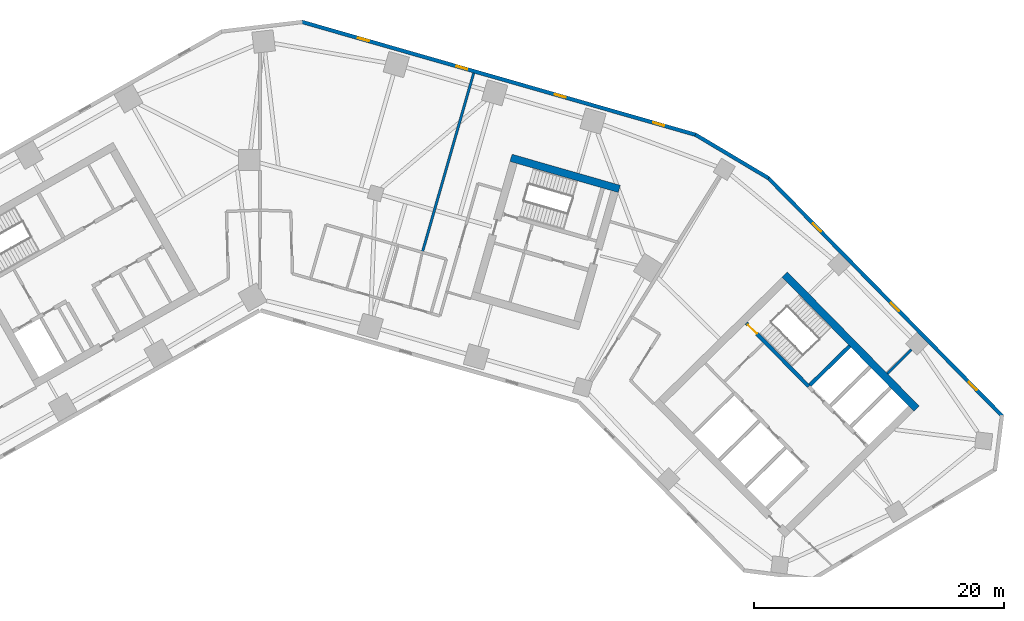
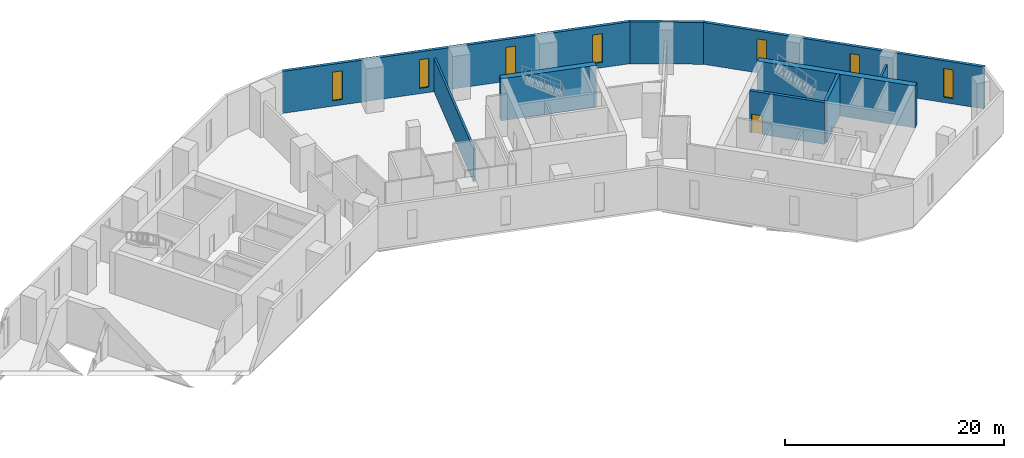
# One storey, part 7 of 10: 9 walls, 7 windows, 1 door, 8 openings.
"""IFC4 building model written with IfcOpenShell, lengths in metres."""

from ifc_helpers import new_model, si_unit, direction, frame, frame_2d, origin, place, context, subcontext, project, spatial, rectangle, extrude, material, layer, layer_set, type_object, element, fill, save


model = new_model("IFC4")

# Units and contexts
model_context = context("Model", 3, precision=1e-05, world=origin(), true_north=direction((0.0, 1.0)))
body_context = subcontext(model_context, "Body", "Model", "MODEL_VIEW")
ifc_project = project(units=[si_unit("LENGTHUNIT", "METRE"), si_unit("AREAUNIT", "SQUARE_METRE"), si_unit("VOLUMEUNIT", "CUBIC_METRE"), si_unit("PLANEANGLEUNIT", "RADIAN"), si_unit("MASSUNIT", "GRAM", prefix="KILO")], contexts=[model_context])

# Site, building, storey
site_placement = place(None, origin())
site = spatial("IfcSite", under=ifc_project, at=site_placement, CompositionType="ELEMENT")
building_placement = place(site_placement, origin())
building = spatial("IfcBuilding", under=site, at=building_placement, Name="Binnacle Exchange Tower", CompositionType="ELEMENT")
storey_placement = place(building_placement, frame((0.0, 0.0, 31.5)))
storey = spatial("IfcBuildingStorey", under=building, at=storey_placement, Name="L06", CompositionType="ELEMENT", Elevation=31.5)

# Walls
ifc_material_1 = material(Name="Concrete C70/85", Category="concrete")
ifc_layer_1 = layer(ifc_material_1, 0.60009765625)
ifc_layer_set_1 = layer_set([ifc_layer_1], Name="Core wall - outer 600")
wall_type_1 = type_object("IfcWallType", Name="Core wall - outer 600", PredefinedType="SOLIDWALL", material=ifc_layer_set_1)
wall_1_placement = place(storey_placement, frame((41.91650390625, 50.855712890625, 0.0), z_axis=(0.0, 0.0, 1.0), x_axis=(0.700911255944, -0.713248491965, 0.0)))
element("IfcWall", 1, at=wall_1_placement, inside=storey, type_object=wall_type_1, Name="Core wall CRWB6", PredefinedType="SOLIDWALL", context=body_context, shape_type="SweptSolid", body=[
    extrude(rectangle(XDim=15.0, YDim=0.60009765625, at=frame_2d((7.5, 0.0))), origin(), (0.0, 0.0, 1.0), 4.679931640625),
])
wall_2_placement = place(storey_placement, frame((20.052734375, 60.1796875, 0.0), z_axis=(0.0, 0.0, 1.0), x_axis=(0.96126248289, -0.275634611374, 0.0)))
element("IfcWall", 2, at=wall_2_placement, inside=storey, type_object=wall_type_1, Name="Core wall CRWD6", PredefinedType="SOLIDWALL", context=body_context, shape_type="SweptSolid", body=[
    extrude(rectangle(XDim=9.0, YDim=0.60009765625, at=frame_2d((4.5, 0.0))), origin(), (0.0, 0.0, 1.0), 4.679931640625),
])

# Wall, opening, door
ifc_layer_2 = layer(ifc_material_1, 0.300048828125)
ifc_layer_set_2 = layer_set([ifc_layer_2], Name="Core wall - stair 300")
wall_type_2 = type_object("IfcWallType", Name="Core wall - stair 300", PredefinedType="SOLIDWALL", material=ifc_layer_set_2)
wall_3_placement = place(storey_placement, frame((38.842041015625, 46.993408203125, 0.0), z_axis=(0.0, 0.0, 1.0), x_axis=(0.700907701701, -0.713251984713, 0.0)))
wall_3 = element("IfcWall", 3, at=wall_3_placement, inside=storey, type_object=wall_type_2, Name="Core wall CRWB4", PredefinedType="SOLIDWALL", context=body_context, shape_type="SweptSolid", body=[
    extrude(rectangle(XDim=7.10009765625, YDim=0.300048828125, at=frame_2d((3.550048828125, 0.0))), origin(), (0.0, 0.0, 1.0), 4.679931640625),
])
opening_1_placement = place(wall_3_placement, frame((0.199951171875, 0.0, 0.0)))
opening_1 = element("IfcOpeningElement", 4, at=opening_1_placement, cuts=wall_3, Name="Opening DB1", PredefinedType="OPENING", context=body_context, shape_type="SweptSolid", body=[
    extrude(rectangle(XDim=1.0, YDim=2.10009765625, at=frame_2d((0.5, 1.050048828125))), frame((0.0, 0.159912109375, 0.0), z_axis=(0.0, -1.0, 0.0), x_axis=(1.0, 0.0, 0.0)), (0.0, 0.0, 1.0), 0.320068359375),
])
ifc_material_2 = material(Name="Steel door leaf", Category="steel")
door_type = type_object("IfcDoorType", Name="Fire door 1000", OperationType="NOTDEFINED", PredefinedType="DOOR", material=ifc_material_2)
door_placement = place(opening_1_placement, origin())
door = element("IfcDoor", 5, at=door_placement, inside=storey, type_object=door_type, Name="Stair door ST-B1", OperationType="SINGLE_SWING_LEFT", OverallHeight=2.10009765625, OverallWidth=1.0, PredefinedType="DOOR", context=body_context, shape_type="SweptSolid", body=[
    extrude(rectangle(XDim=1.0, YDim=2.10009765625, at=frame_2d((0.5, 1.050048828125))), frame((0.0, 0.02490234375, 0.0), z_axis=(0.0, -1.0, 0.0), x_axis=(1.0, 0.0, 0.0)), (0.0, 0.0, 1.0), 0.050048828125),
])
fill(opening_1, door)

# Walls
wall_4_placement = place(storey_placement, frame((43.925537109375, 42.034423828125, 0.0), z_axis=(0.0, 0.0, 1.0), x_axis=(0.713251741427, 0.700907949271, 0.0)))
element("IfcWall", 6, at=wall_4_placement, inside=storey, type_object=wall_type_2, Name="Core wall CRWB11", PredefinedType="SOLIDWALL", context=body_context, shape_type="SweptSolid", body=[
    extrude(rectangle(XDim=4.4501953125, YDim=0.300048828125, at=frame_2d((2.22509765625, 0.0))), origin(), (0.0, 0.0, 1.0), 4.679931640625),
])
ifc_material_3 = material(Name="Bronze aluminium cladding", Category="aluminium")
ifc_layer_3 = layer(ifc_material_3, 0.300048828125)
ifc_layer_set_3 = layer_set([ifc_layer_3], Name="External wall - spandrel 300")
wall_type_3 = type_object("IfcWallType", Name="External wall - spandrel 300", PredefinedType="STANDARD", material=ifc_layer_set_3)
wall_5_placement = place(storey_placement, frame((34.773193359375, 62.0341796875, 0.0), z_axis=(0.0, 0.0, 1.0), x_axis=(0.859401317772, -0.511301647769, 0.0)))
element("IfcWall", 7, at=wall_5_placement, inside=storey, type_object=wall_type_3, Name="External wall EW-F00 L06", PredefinedType="STANDARD", context=body_context, shape_type="SweptSolid", body=[
    extrude(rectangle(XDim=6.80810546875, YDim=0.300048828125, at=frame_2d((3.404052734375, 0.0))), origin(), (0.0, 0.0, 1.0), 4.679931640625),
])

# Wall, openings, windows
wall_6_placement = place(storey_placement, frame((3.33544921875, 71.043701171875, 0.0), z_axis=(0.0, 0.0, 1.0), x_axis=(0.961260130989, -0.275642813387, 0.0)))
wall_6 = element("IfcWall", 8, at=wall_6_placement, inside=storey, type_object=wall_type_3, Name="External wall EW-F01 L06", PredefinedType="STANDARD", context=body_context, shape_type="SweptSolid", body=[
    extrude(rectangle(XDim=32.7412109375, YDim=0.300048828125, at=frame_2d((16.37060546875, 0.0))), origin(), (0.0, 0.0, 1.0), 4.679931640625),
])
opening_2_placement = place(wall_6_placement, frame((29.20703125, 0.0, 0.60009765625)))
opening_2 = element("IfcOpeningElement", 9, at=opening_2_placement, cuts=wall_6, Name="Opening WS1", PredefinedType="OPENING", context=body_context, shape_type="SweptSolid", body=[
    extrude(rectangle(XDim=0.89990234375, YDim=3.199951171875, at=frame_2d((0.449951171875, 1.60009765625))), frame((0.0, 0.159912109375, 0.0), z_axis=(0.0, -1.0, 0.0), x_axis=(1.0, 0.0, 0.0)), (0.0, 0.0, 1.0), 0.320068359375),
])
opening_3_placement = place(wall_6_placement, frame((21.0341796875, 0.0, 0.60009765625)))
opening_3 = element("IfcOpeningElement", 10, at=opening_3_placement, cuts=wall_6, Name="Opening WS1", PredefinedType="OPENING", context=body_context, shape_type="SweptSolid", body=[
    extrude(rectangle(XDim=0.89990234375, YDim=3.199951171875, at=frame_2d((0.449951171875, 1.60009765625))), frame((0.0, 0.159912109375, 0.0), z_axis=(0.0, -1.0, 0.0), x_axis=(1.0, 0.0, 0.0)), (0.0, 0.0, 1.0), 0.320068359375),
])
opening_4_placement = place(wall_6_placement, frame((12.861083984375, 0.0, 0.60009765625)))
opening_4 = element("IfcOpeningElement", 11, at=opening_4_placement, cuts=wall_6, Name="Opening WS1", PredefinedType="OPENING", context=body_context, shape_type="SweptSolid", body=[
    extrude(rectangle(XDim=0.89990234375, YDim=3.199951171875, at=frame_2d((0.449951171875, 1.60009765625))), frame((0.0, 0.159912109375, 0.0), z_axis=(0.0, -1.0, 0.0), x_axis=(1.0, 0.0, 0.0)), (0.0, 0.0, 1.0), 0.320068359375),
])
opening_5_placement = place(wall_6_placement, frame((4.688232421875, 0.0, 0.60009765625)))
opening_5 = element("IfcOpeningElement", 12, at=opening_5_placement, cuts=wall_6, Name="Opening WS1", PredefinedType="OPENING", context=body_context, shape_type="SweptSolid", body=[
    extrude(rectangle(XDim=0.89990234375, YDim=3.199951171875, at=frame_2d((0.449951171875, 1.60009765625))), frame((0.0, 0.159912109375, 0.0), z_axis=(0.0, -1.0, 0.0), x_axis=(1.0, 0.0, 0.0)), (0.0, 0.0, 1.0), 0.320068359375),
])
ifc_material_4 = material(Name="Bronze anodised aluminium frame", Category="aluminium")
window_type = type_object("IfcWindowType", Name="WS1 WINDOW 900x3200", PartitioningType="SINGLE_PANEL", PredefinedType="WINDOW", material=ifc_material_4)
window_1_placement = place(opening_2_placement, origin())
window_1 = element("IfcWindow", 13, at=window_1_placement, inside=storey, type_object=window_type, Name="Window WS1 L06", OverallHeight=3.199951171875, OverallWidth=0.89990234375, PartitioningType="SINGLE_PANEL", PredefinedType="WINDOW", context=body_context, shape_type="SweptSolid", body=[
    extrude(rectangle(XDim=0.89990234375, YDim=3.199951171875, at=frame_2d((0.449951171875, 1.60009765625))), frame((0.0, 0.030029296875, 0.0), z_axis=(0.0, -1.0, 0.0), x_axis=(1.0, 0.0, 0.0)), (0.0, 0.0, 1.0), 0.06005859375),
])
fill(opening_2, window_1)
window_2_placement = place(opening_3_placement, origin())
window_2 = element("IfcWindow", 14, at=window_2_placement, inside=storey, type_object=window_type, Name="Window WS1 L06", OverallHeight=3.199951171875, OverallWidth=0.89990234375, PartitioningType="SINGLE_PANEL", PredefinedType="WINDOW", context=body_context, shape_type="SweptSolid", body=[
    extrude(rectangle(XDim=0.89990234375, YDim=3.199951171875, at=frame_2d((0.449951171875, 1.60009765625))), frame((0.0, 0.030029296875, 0.0), z_axis=(0.0, -1.0, 0.0), x_axis=(1.0, 0.0, 0.0)), (0.0, 0.0, 1.0), 0.06005859375),
])
fill(opening_3, window_2)
window_3_placement = place(opening_4_placement, origin())
window_3 = element("IfcWindow", 15, at=window_3_placement, inside=storey, type_object=window_type, Name="Window WS1 L06", OverallHeight=3.199951171875, OverallWidth=0.89990234375, PartitioningType="SINGLE_PANEL", PredefinedType="WINDOW", context=body_context, shape_type="SweptSolid", body=[
    extrude(rectangle(XDim=0.89990234375, YDim=3.199951171875, at=frame_2d((0.449951171875, 1.60009765625))), frame((0.0, 0.030029296875, 0.0), z_axis=(0.0, -1.0, 0.0), x_axis=(1.0, 0.0, 0.0)), (0.0, 0.0, 1.0), 0.06005859375),
])
fill(opening_4, window_3)
window_4_placement = place(opening_5_placement, origin())
window_4 = element("IfcWindow", 16, at=window_4_placement, inside=storey, type_object=window_type, Name="Window WS1 L06", OverallHeight=3.199951171875, OverallWidth=0.89990234375, PartitioningType="SINGLE_PANEL", PredefinedType="WINDOW", context=body_context, shape_type="SweptSolid", body=[
    extrude(rectangle(XDim=0.89990234375, YDim=3.199951171875, at=frame_2d((0.449951171875, 1.60009765625))), frame((0.0, 0.030029296875, 0.0), z_axis=(0.0, -1.0, 0.0), x_axis=(1.0, 0.0, 0.0)), (0.0, 0.0, 1.0), 0.06005859375),
])
fill(opening_5, window_4)

wall_7_placement = place(storey_placement, frame((40.59375, 58.576904296875, 0.0), z_axis=(0.0, 0.0, 1.0), x_axis=(0.700909719808, -0.713250001528, 0.0)))
wall_7 = element("IfcWall", 17, at=wall_7_placement, inside=storey, type_object=wall_type_3, Name="External wall EW-F13 L06", PredefinedType="STANDARD", context=body_context, shape_type="SweptSolid", body=[
    extrude(rectangle(XDim=26.70849609375, YDim=0.300048828125, at=frame_2d((13.354248046875, 0.0))), origin(), (0.0, 0.0, 1.0), 4.679931640625),
])
opening_6_placement = place(wall_7_placement, frame((22.8583984375, 0.0, 0.60009765625)))
opening_6 = element("IfcOpeningElement", 18, at=opening_6_placement, cuts=wall_7, Name="Opening WS1", PredefinedType="OPENING", context=body_context, shape_type="SweptSolid", body=[
    extrude(rectangle(XDim=0.89990234375, YDim=3.199951171875, at=frame_2d((0.449951171875, 1.60009765625))), frame((0.0, 0.159912109375, 0.0), z_axis=(0.0, -1.0, 0.0), x_axis=(1.0, 0.0, 0.0)), (0.0, 0.0, 1.0), 0.320068359375),
])
opening_7_placement = place(wall_7_placement, frame((13.986572265625, 0.0, 0.60009765625)))
opening_7 = element("IfcOpeningElement", 19, at=opening_7_placement, cuts=wall_7, Name="Opening WS1", PredefinedType="OPENING", context=body_context, shape_type="SweptSolid", body=[
    extrude(rectangle(XDim=0.89990234375, YDim=3.199951171875, at=frame_2d((0.449951171875, 1.60009765625))), frame((0.0, 0.159912109375, 0.0), z_axis=(0.0, -1.0, 0.0), x_axis=(1.0, 0.0, 0.0)), (0.0, 0.0, 1.0), 0.320068359375),
])
opening_8_placement = place(wall_7_placement, frame((5.114501953125, 0.0, 0.60009765625)))
opening_8 = element("IfcOpeningElement", 20, at=opening_8_placement, cuts=wall_7, Name="Opening WS1", PredefinedType="OPENING", context=body_context, shape_type="SweptSolid", body=[
    extrude(rectangle(XDim=0.89990234375, YDim=3.199951171875, at=frame_2d((0.449951171875, 1.60009765625))), frame((0.0, 0.159912109375, 0.0), z_axis=(0.0, -1.0, 0.0), x_axis=(1.0, 0.0, 0.0)), (0.0, 0.0, 1.0), 0.320068359375),
])
window_5_placement = place(opening_6_placement, origin())
window_5 = element("IfcWindow", 21, at=window_5_placement, inside=storey, type_object=window_type, Name="Window WS1 L06", OverallHeight=3.199951171875, OverallWidth=0.89990234375, PartitioningType="SINGLE_PANEL", PredefinedType="WINDOW", context=body_context, shape_type="SweptSolid", body=[
    extrude(rectangle(XDim=0.89990234375, YDim=3.199951171875, at=frame_2d((0.449951171875, 1.60009765625))), frame((0.0, 0.030029296875, 0.0), z_axis=(0.0, -1.0, 0.0), x_axis=(1.0, 0.0, 0.0)), (0.0, 0.0, 1.0), 0.06005859375),
])
fill(opening_6, window_5)
window_6_placement = place(opening_7_placement, origin())
window_6 = element("IfcWindow", 22, at=window_6_placement, inside=storey, type_object=window_type, Name="Window WS1 L06", OverallHeight=3.199951171875, OverallWidth=0.89990234375, PartitioningType="SINGLE_PANEL", PredefinedType="WINDOW", context=body_context, shape_type="SweptSolid", body=[
    extrude(rectangle(XDim=0.89990234375, YDim=3.199951171875, at=frame_2d((0.449951171875, 1.60009765625))), frame((0.0, 0.030029296875, 0.0), z_axis=(0.0, -1.0, 0.0), x_axis=(1.0, 0.0, 0.0)), (0.0, 0.0, 1.0), 0.06005859375),
])
fill(opening_7, window_6)
window_7_placement = place(opening_8_placement, origin())
window_7 = element("IfcWindow", 23, at=window_7_placement, inside=storey, type_object=window_type, Name="Window WS1 L06", OverallHeight=3.199951171875, OverallWidth=0.89990234375, PartitioningType="SINGLE_PANEL", PredefinedType="WINDOW", context=body_context, shape_type="SweptSolid", body=[
    extrude(rectangle(XDim=0.89990234375, YDim=3.199951171875, at=frame_2d((0.449951171875, 1.60009765625))), frame((0.0, 0.030029296875, 0.0), z_axis=(0.0, -1.0, 0.0), x_axis=(1.0, 0.0, 0.0)), (0.0, 0.0, 1.0), 0.06005859375),
])
fill(opening_8, window_7)

# Walls
ifc_material_5 = material(Name="Masonry block wall", Category="masonry")
ifc_layer_4 = layer(ifc_material_5, 0.199951171875)
ifc_layer_set_4 = layer_set([ifc_layer_4], Name="Fire wall - block 200")
wall_type_4 = type_object("IfcWallType", Name="Fire wall - block 200", PredefinedType="PARTITIONING", material=ifc_layer_set_4)
wall_8_placement = place(storey_placement, frame((12.97412109375, 52.638916015625, 0.0), z_axis=(0.0, 0.0, 1.0), x_axis=(0.275299463768, 0.961358520662, 0.0)))
element("IfcWall", 24, at=wall_8_placement, inside=storey, type_object=wall_type_4, Name="Partition W27", PredefinedType="PARTITIONING", context=body_context, shape_type="SweptSolid", body=[
    extrude(rectangle(XDim=14.88525390625, YDim=0.199951171875, at=frame_2d((7.442626953125, 0.0))), origin(), (0.0, 0.0, 1.0), 3.741943359375),
])
wall_9_placement = place(storey_placement, frame((50.111083984375, 42.945068359375, 0.0), z_axis=(0.0, 0.0, 1.0), x_axis=(0.703583283707, 0.710612807996, 0.0)))
element("IfcWall", 25, at=wall_9_placement, inside=storey, type_object=wall_type_4, Name="Partition W42", PredefinedType="PARTITIONING", context=body_context, shape_type="SweptSolid", body=[
    extrude(rectangle(XDim=2.708984375, YDim=0.199951171875, at=frame_2d((1.3544921875, 0.0))), origin(), (0.0, 0.0, 1.0), 4.2099609375),
])

save(model, "model.ifc")
